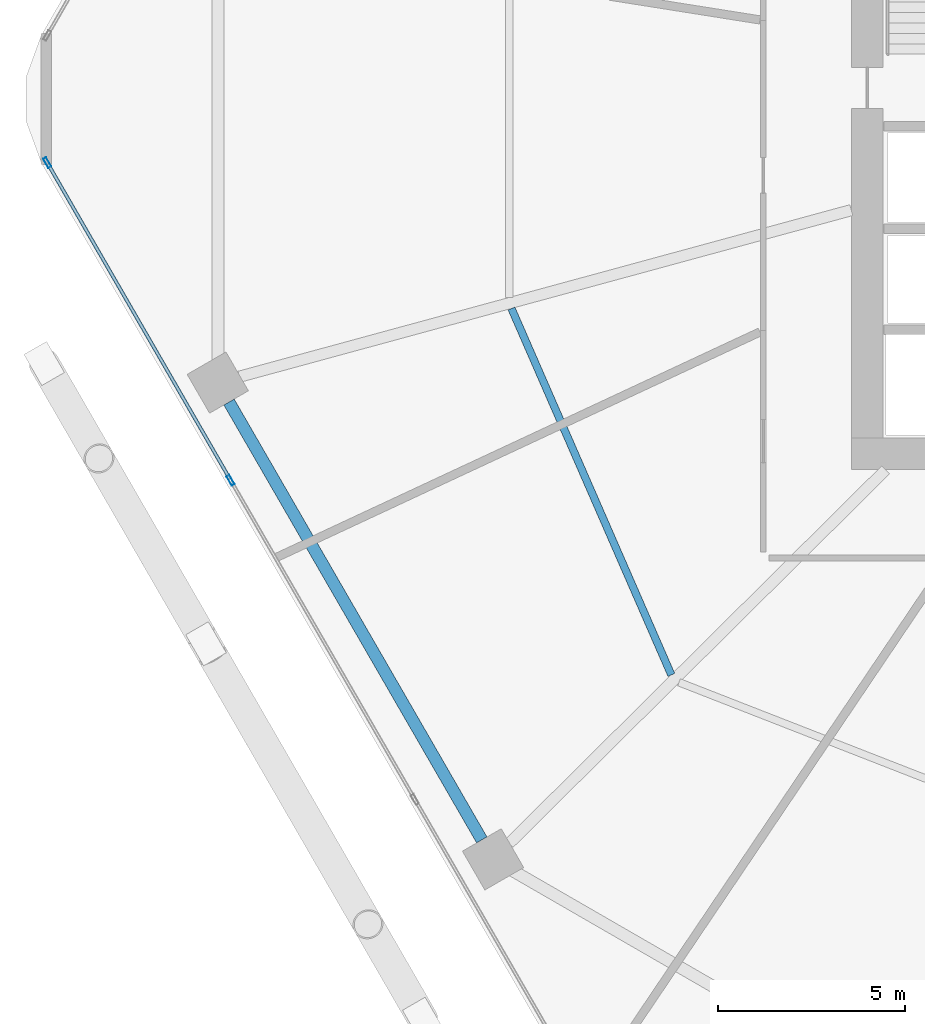
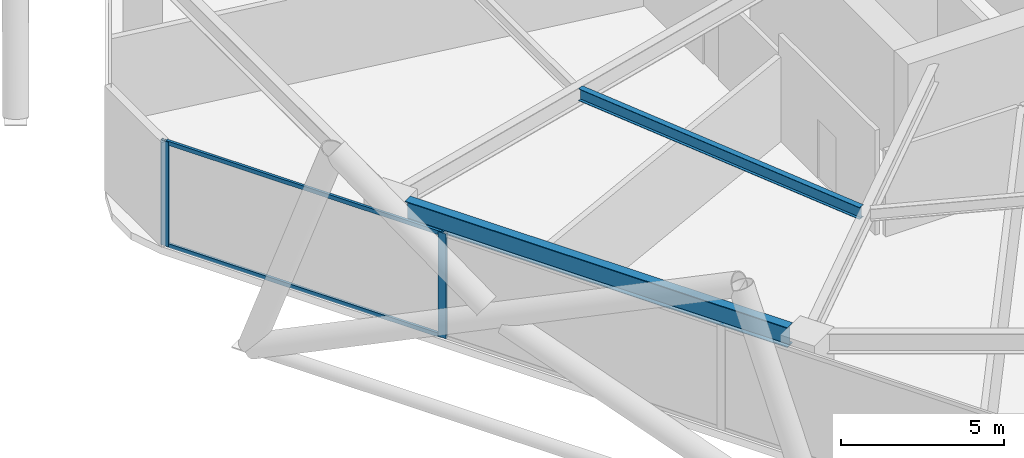
# One storey, part 5 of 29: 4 members, 2 beams, 1 element without a shape of its own.
"""IFC4 building model written with IfcOpenShell, lengths in metres."""

from ifc_helpers import new_model, si_unit, direction, frame, origin, origin_2d, place, context, subcontext, project, spatial, hollow_rectangle, i_section, extrude, material, material_profile, profile_set, type_object, element, aggregate, save


model = new_model("IFC4")

# Units and contexts
model_context = context("Model", 3, precision=1e-05, world=origin(), true_north=direction((0.0, 1.0)))
body_context = subcontext(model_context, "Body", "Model", "MODEL_VIEW")
ifc_project = project(units=[si_unit("LENGTHUNIT", "METRE"), si_unit("AREAUNIT", "SQUARE_METRE"), si_unit("VOLUMEUNIT", "CUBIC_METRE"), si_unit("PLANEANGLEUNIT", "RADIAN"), si_unit("MASSUNIT", "GRAM", prefix="KILO")], contexts=[model_context])

# Site, building, storey
site_placement = place(None, origin())
site = spatial("IfcSite", under=ifc_project, at=site_placement, CompositionType="ELEMENT")
building_placement = place(site_placement, origin())
building = spatial("IfcBuilding", under=site, at=building_placement, Name="Zuhravey Tower", CompositionType="ELEMENT")
storey_placement = place(building_placement, frame((0.0, 0.0, 41.39990234375)))
storey = spatial("IfcBuildingStorey", under=building, at=storey_placement, Name="L10", CompositionType="ELEMENT", Elevation=41.39990234375)

# Curtain wall, members
ifc_material_1 = material(Name="Thermally broken anodised aluminium", Category="aluminium")
curtain_wall_type = type_object("IfcCurtainWallType", Name="School Low-E Unitised Curtain Wall CW1", PredefinedType="NOTDEFINED", material=ifc_material_1)
curtain_wall_placement = place(storey_placement, origin())
curtain_wall = element("IfcCurtainWall", 1, at=curtain_wall_placement, inside=storey, type_object=curtain_wall_type, Name="L10 CW1 CW-L10-F4-1", PredefinedType="NOTDEFINED")
ifc_material_2 = material(Name="Anodised aluminium", Category="aluminium")
ifc_material_profile_1 = material_profile(ifc_material_2, hollow_rectangle(XDim=0.090087890625, YDim=0.284912109375, WallThickness=0.0048828125, at=origin_2d()), Name="ALU-RHS-90x285x5")
ifc_profile_set_1 = profile_set([ifc_material_profile_1], Name="Anodised aluminium")
member_type_1 = type_object("IfcMemberType", Name="Curtain-Wall Mullion 90x180", PredefinedType="MULLION", material=ifc_profile_set_1)
member_1_placement = place(storey_placement, frame((8.45458984375, 21.79296875, 0.0), z_axis=(0.0, 0.0, 1.0), x_axis=(-0.86602552265, -0.499999794119, 0.0)))
member_1 = element("IfcMember", 2, at=member_1_placement, type_object=member_type_1, Name="CW1 mullion 3", PredefinedType="MULLION", context=body_context, shape_type="SweptSolid", body=[
    extrude(hollow_rectangle(XDim=0.090087890625, YDim=0.284912109375, WallThickness=0.0048828125, at=origin_2d()), origin(), (0.0, 0.0, 1.0), 3.920166015625),
])
member_2_placement = place(storey_placement, frame((3.5439453125, 30.298583984375, 0.0), z_axis=(0.0, 0.0, 1.0), x_axis=(-0.86602552265, -0.499999794119, 0.0)))
member_2 = element("IfcMember", 3, at=member_2_placement, type_object=member_type_1, Name="CW1 mullion 4", PredefinedType="MULLION", context=body_context, shape_type="SweptSolid", body=[
    extrude(hollow_rectangle(XDim=0.090087890625, YDim=0.284912109375, WallThickness=0.0048828125, at=origin_2d()), origin(), (0.0, 0.0, 1.0), 3.920166015625),
])
ifc_material_profile_2 = material_profile(ifc_material_2, hollow_rectangle(XDim=0.090087890625, YDim=0.14990234375, WallThickness=0.0048828125, at=origin_2d()), Name="ALU-RHS-90x150x5")
ifc_profile_set_2 = profile_set([ifc_material_profile_2], Name="Anodised aluminium")
member_type_2 = type_object("IfcMemberType", Name="Curtain-Wall Transom 90x150", PredefinedType="USERDEFINED", material=ifc_profile_set_2)
member_3_placement = place(storey_placement, frame((8.43212890625, 21.83203125, 0.045166015625), z_axis=(-0.500008393077, 0.866020557985, 0.0), x_axis=(-0.866020557985, -0.500008393077, 0.0)))
member_3 = element("IfcMember", 4, at=member_3_placement, type_object=member_type_2, Name="CW1 transom 3.1", ObjectType="TRANSOM", PredefinedType="USERDEFINED", context=body_context, shape_type="SweptSolid", body=[
    extrude(hollow_rectangle(XDim=0.090087890625, YDim=0.14990234375, WallThickness=0.0048828125, at=origin_2d()), origin(), (0.0, 0.0, 1.0), 9.731201171875),
])
member_4_placement = place(storey_placement, frame((8.43212890625, 21.83203125, 3.875), z_axis=(-0.500008393077, 0.866020557985, 0.0), x_axis=(-0.866020557985, -0.500008393077, 0.0)))
member_4 = element("IfcMember", 5, at=member_4_placement, type_object=member_type_2, Name="CW1 transom 3.2", ObjectType="TRANSOM", PredefinedType="USERDEFINED", context=body_context, shape_type="SweptSolid", body=[
    extrude(hollow_rectangle(XDim=0.090087890625, YDim=0.14990234375, WallThickness=0.0048828125, at=origin_2d()), origin(), (0.0, 0.0, 1.0), 9.731201171875),
])
aggregate(curtain_wall, [member_1, member_2, member_3, member_4])

# Beams
ifc_material_3 = material(Name="Steel SM355", Category="steel")
ifc_material_profile_3 = material_profile(ifc_material_3, i_section(OverallWidth=0.320068359375, OverallDepth=0.75, WebThickness=0.013916015625, FlangeThickness=0.02490234375, at=origin_2d()), Name="H-750x320x14x25")
ifc_profile_set_3 = profile_set([ifc_material_profile_3], Name="Steel SM355")
beam_type_1 = type_object("IfcBeamType", Name="Perimeter Ring Beam H750x320", PredefinedType="BEAM", material=ifc_profile_set_3)
beam_1_placement = place(storey_placement, frame((8.412353515625, 23.88623046875, 3.545166015625), z_axis=(0.499999877243, -0.866025474658, 0.0), x_axis=(0.866025474658, 0.499999877243, 0.0)))
element("IfcBeam", 6, at=beam_1_placement, inside=storey, type_object=beam_type_1, Name="L10 PB1 BM-L10-PB-07", PredefinedType="BEAM", context=body_context, shape_type="SweptSolid", body=[
    extrude(i_section(OverallWidth=0.320068359375, OverallDepth=0.75, WebThickness=0.013916015625, FlangeThickness=0.02490234375, at=origin_2d()), origin(), (0.0, 0.0, 1.0), 13.5341796875),
])
ifc_material_profile_4 = material_profile(ifc_material_3, i_section(OverallWidth=0.199951171875, OverallDepth=0.449951171875, WebThickness=0.009033203125, FlangeThickness=0.013916015625, at=origin_2d()), Name="H-450x200x9x14")
ifc_profile_set_4 = profile_set([ifc_material_profile_4], Name="Steel SM355")
beam_type_2 = type_object("IfcBeamType", Name="Secondary Floor Joist H450x200", PredefinedType="JOIST", material=ifc_profile_set_4)
beam_2_placement = place(storey_placement, frame((15.974609375, 26.39111328125, 3.695068359375), z_axis=(0.399923551578, -0.916548500022, 0.0), x_axis=(0.916548500022, 0.399923551578, 0.0)))
element("IfcBeam", 7, at=beam_2_placement, inside=storey, type_object=beam_type_2, Name="L10 SJ1 BM-L10-SJ-07-1", PredefinedType="JOIST", context=body_context, shape_type="SweptSolid", body=[
    extrude(i_section(OverallWidth=0.199951171875, OverallDepth=0.449951171875, WebThickness=0.009033203125, FlangeThickness=0.013916015625, at=origin_2d()), origin(), (0.0, 0.0, 1.0), 10.70263671875),
])

save(model, "model.ifc")
